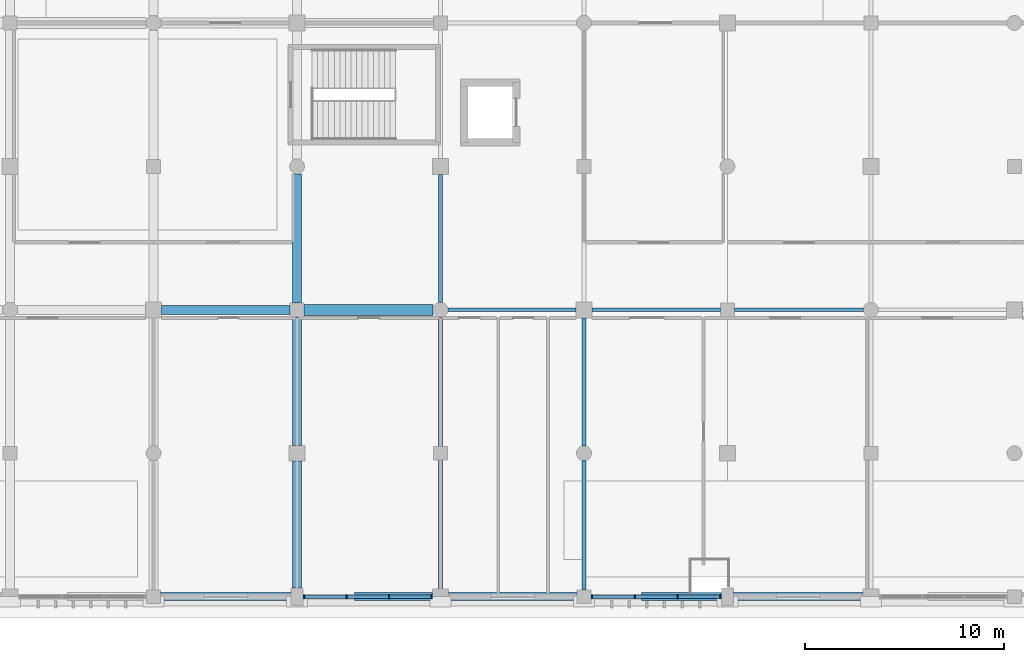
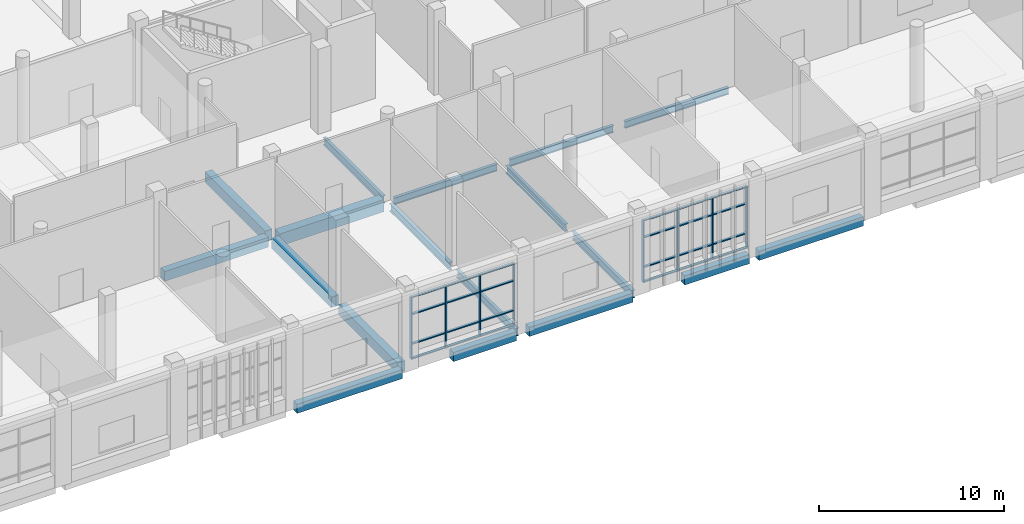
# One storey, part 16 of 80: 32 members, 18 beams, 2 elements without a shape of their own.
"""IFC4 building model written with IfcOpenShell, lengths in metres."""

from ifc_helpers import new_model, si_unit, direction, frame, origin, origin_2d, place, context, subcontext, project, spatial, rectangle, i_section, extrude, material, material_profile, profile_set, type_object, element, aggregate, save


model = new_model("IFC4")

# Units and contexts
model_context = context("Model", 3, precision=1e-05, world=origin(), true_north=direction((0.0, 1.0)))
body_context = subcontext(model_context, "Body", "Model", "MODEL_VIEW")
ifc_project = project(units=[si_unit("LENGTHUNIT", "METRE"), si_unit("AREAUNIT", "SQUARE_METRE"), si_unit("VOLUMEUNIT", "CUBIC_METRE"), si_unit("PLANEANGLEUNIT", "RADIAN"), si_unit("MASSUNIT", "GRAM", prefix="KILO")], contexts=[model_context])

# Site, building, storey
site_placement = place(None, origin())
site = spatial("IfcSite", under=ifc_project, at=site_placement, CompositionType="ELEMENT")
building_placement = place(site_placement, origin())
building = spatial("IfcBuilding", under=site, at=building_placement, Name="Sardonyx Promenade Sports Hall", CompositionType="ELEMENT")
storey_placement = place(building_placement, frame((0.0, 0.0, 5.60009765625)))
storey = spatial("IfcBuildingStorey", under=building, at=storey_placement, Name="L01", CompositionType="ELEMENT", Elevation=5.60009765625)

# Beams
ifc_material_1 = material(Name="Concrete C40/50", Category="concrete")
ifc_material_profile_1 = material_profile(ifc_material_1, rectangle(XDim=0.550048828125, YDim=0.800048828125, at=origin_2d()))
ifc_profile_set_1 = profile_set([ifc_material_profile_1], Name="Concrete C40/50")
beam_type_1 = type_object("IfcBeamType", Name="Bm_Girder_RC800", PredefinedType="BEAM", material=ifc_profile_set_1)
beam_1_placement = place(storey_placement, frame((101.14990234375, 14.39990234375, -0.400146484375), z_axis=(1.0, 0.0, 0.0), x_axis=(0.0, 1.0, 0.0)))
element("IfcBeam", 1, at=beam_1_placement, inside=storey, type_object=beam_type_1, Name="Beam BG04 L01 #199", PredefinedType="BEAM", context=body_context, shape_type="SweptSolid", body=[
    extrude(rectangle(XDim=0.550048828125, YDim=0.800048828125, at=origin_2d()), origin(), (0.0, 0.0, 1.0), 6.47509765625),
])
ifc_material_2 = material(Name="Steel S355JR", Category="steel")
ifc_material_profile_2 = material_profile(ifc_material_2, i_section(OverallWidth=0.18994140625, OverallDepth=0.453369140625, WebThickness=0.008544921875, FlangeThickness=0.0126953125, at=origin_2d()))
ifc_profile_set_2 = profile_set([ifc_material_profile_2], Name="Steel S355JR")
beam_type_2 = type_object("IfcBeamType", Name="Bm_Girder_UB457", PredefinedType="BEAM", material=ifc_profile_set_2)
beam_2_placement = place(storey_placement, frame((108.375, 14.39990234375, -0.5068359375), z_axis=(1.0, 0.0, 0.0), x_axis=(0.0, 1.0, 0.0)))
element("IfcBeam", 2, at=beam_2_placement, inside=storey, type_object=beam_type_2, Name="Beam SB01 L01 #200", PredefinedType="BEAM", context=body_context, shape_type="SweptSolid", body=[
    extrude(i_section(OverallWidth=0.18994140625, OverallDepth=0.453369140625, WebThickness=0.008544921875, FlangeThickness=0.0126953125, at=origin_2d()), origin(), (0.0, 0.0, 1.0), 6.425048828125),
])
beam_3_placement = place(storey_placement, frame((115.60009765625, 14.39990234375, -0.5068359375), z_axis=(1.0, 0.0, 0.0), x_axis=(0.0, 1.0, 0.0)))
element("IfcBeam", 3, at=beam_3_placement, inside=storey, type_object=beam_type_2, Name="Beam SB01 L01 #201", PredefinedType="BEAM", context=body_context, shape_type="SweptSolid", body=[
    extrude(i_section(OverallWidth=0.18994140625, OverallDepth=0.453369140625, WebThickness=0.008544921875, FlangeThickness=0.0126953125, at=origin_2d()), origin(), (0.0, 0.0, 1.0), 6.449951171875),
])
beam_4_placement = place(storey_placement, frame((122.75, 14.39990234375, -0.5068359375), z_axis=(1.0, 0.0, 0.0), x_axis=(0.0, 1.0, 0.0)))
element("IfcBeam", 4, at=beam_4_placement, inside=storey, type_object=beam_type_2, Name="Beam SB01 L01 #202", PredefinedType="BEAM", context=body_context, shape_type="SweptSolid", body=[
    extrude(i_section(OverallWidth=0.18994140625, OverallDepth=0.453369140625, WebThickness=0.008544921875, FlangeThickness=0.0126953125, at=origin_2d()), origin(), (0.0, 0.0, 1.0), 6.47509765625),
])
ifc_material_3 = material(Name="Steel S355JR", Category="steel")
ifc_material_profile_3 = material_profile(ifc_material_3, i_section(OverallWidth=0.199951171875, OverallDepth=0.5, WebThickness=0.01025390625, FlangeThickness=0.01611328125, at=origin_2d()))
ifc_profile_set_3 = profile_set([ifc_material_profile_3], Name="Steel S355JR")
beam_type_3 = type_object("IfcBeamType", Name="Bm_Primary_IPE500", PredefinedType="BEAM", material=ifc_profile_set_3)
beam_5_placement = place(storey_placement, frame((108.0, 0.39990234375, -0.530029296875), z_axis=(0.0, 1.0, 0.0), x_axis=(-1.0, 0.0, 0.0)))
element("IfcBeam", 5, at=beam_5_placement, inside=storey, type_object=beam_type_3, Name="Beam SB06 L01 #378", PredefinedType="BEAM", context=body_context, shape_type="SweptSolid", body=[
    extrude(i_section(OverallWidth=0.199951171875, OverallDepth=0.5, WebThickness=0.01025390625, FlangeThickness=0.01611328125, at=origin_2d()), origin(), (0.0, 0.0, 1.0), 6.4501953125),
])
beam_6_placement = place(storey_placement, frame((108.0, 7.550048828125, -0.530029296875), z_axis=(0.0, 1.0, 0.0), x_axis=(-1.0, 0.0, 0.0)))
element("IfcBeam", 6, at=beam_6_placement, inside=storey, type_object=beam_type_3, Name="Beam SB06 L01 #379", PredefinedType="BEAM", context=body_context, shape_type="SweptSolid", body=[
    extrude(i_section(OverallWidth=0.199951171875, OverallDepth=0.5, WebThickness=0.01025390625, FlangeThickness=0.01611328125, at=origin_2d()), origin(), (0.0, 0.0, 1.0), 6.474853515625),
])
beam_7_placement = place(storey_placement, frame((108.0, 14.77490234375, -0.530029296875), z_axis=(0.0, 1.0, 0.0), x_axis=(-1.0, 0.0, 0.0)))
element("IfcBeam", 7, at=beam_7_placement, inside=storey, type_object=beam_type_3, Name="Beam SB06 L01 #380", PredefinedType="BEAM", context=body_context, shape_type="SweptSolid", body=[
    extrude(i_section(OverallWidth=0.199951171875, OverallDepth=0.5, WebThickness=0.01025390625, FlangeThickness=0.01611328125, at=origin_2d()), origin(), (0.0, 0.0, 1.0), 6.425048828125),
])
beam_8_placement = place(storey_placement, frame((115.199951171875, 0.35009765625, -0.530029296875), z_axis=(0.0, 1.0, 0.0), x_axis=(-1.0, 0.0, 0.0)))
element("IfcBeam", 8, at=beam_8_placement, inside=storey, type_object=beam_type_3, Name="Beam SB06 L01 #392", PredefinedType="BEAM", context=body_context, shape_type="SweptSolid", body=[
    extrude(i_section(OverallWidth=0.199951171875, OverallDepth=0.5, WebThickness=0.01025390625, FlangeThickness=0.01611328125, at=origin_2d()), origin(), (0.0, 0.0, 1.0), 6.474853515625),
])
beam_9_placement = place(storey_placement, frame((115.199951171875, 7.574951171875, -0.530029296875), z_axis=(0.0, 1.0, 0.0), x_axis=(-1.0, 0.0, 0.0)))
element("IfcBeam", 9, at=beam_9_placement, inside=storey, type_object=beam_type_3, Name="Beam SB06 L01 #393", PredefinedType="BEAM", context=body_context, shape_type="SweptSolid", body=[
    extrude(i_section(OverallWidth=0.199951171875, OverallDepth=0.5, WebThickness=0.01025390625, FlangeThickness=0.01611328125, at=origin_2d()), origin(), (0.0, 0.0, 1.0), 6.425048828125),
])
ifc_material_4 = material(Name="Concrete C40/50", Category="concrete")
ifc_material_profile_4 = material_profile(ifc_material_4, rectangle(XDim=0.449951171875, YDim=0.64990234375, at=origin_2d()))
ifc_profile_set_4 = profile_set([ifc_material_profile_4], Name="Concrete C40/50")
beam_type_4 = type_object("IfcBeamType", Name="Bm_Primary_RC650", PredefinedType="BEAM", material=ifc_profile_set_4)
beam_10_placement = place(storey_placement, frame((94.0, 14.39990234375, -0.3251953125), z_axis=(1.0, 0.0, 0.0), x_axis=(0.0, 1.0, 0.0)))
element("IfcBeam", 10, at=beam_10_placement, inside=storey, type_object=beam_type_4, Name="Beam BG05 L01 #198", PredefinedType="BEAM", context=body_context, shape_type="SweptSolid", body=[
    extrude(rectangle(XDim=0.449951171875, YDim=0.64990234375, at=origin_2d()), origin(), (0.0, 0.0, 1.0), 6.449951171875),
])
ifc_material_5 = material(Name="Concrete C40/50", Category="concrete")
ifc_material_profile_5 = material_profile(ifc_material_5, rectangle(XDim=0.449951171875, YDim=0.699951171875, at=origin_2d()))
ifc_profile_set_5 = profile_set([ifc_material_profile_5], Name="Concrete C40/50")
beam_type_5 = type_object("IfcBeamType", Name="Bm_Primary_RC700", PredefinedType="BEAM", material=ifc_profile_set_5)
beam_11_placement = place(storey_placement, frame((100.800048828125, 0.449951171875, -0.35009765625), z_axis=(0.0, 1.0, 0.0), x_axis=(-1.0, 0.0, 0.0)))
element("IfcBeam", 11, at=beam_11_placement, inside=storey, type_object=beam_type_5, Name="Beam BG01 L01 #368", PredefinedType="BEAM", context=body_context, shape_type="SweptSolid", body=[
    extrude(rectangle(XDim=0.449951171875, YDim=0.699951171875, at=origin_2d()), origin(), (0.0, 0.0, 1.0), 6.35009765625),
])
beam_12_placement = place(storey_placement, frame((100.800048828125, 7.60009765625, -0.35009765625), z_axis=(0.0, 1.0, 0.0), x_axis=(-1.0, 0.0, 0.0)))
element("IfcBeam", 12, at=beam_12_placement, inside=storey, type_object=beam_type_5, Name="Beam BG01 L01 #369", PredefinedType="BEAM", context=body_context, shape_type="SweptSolid", body=[
    extrude(rectangle(XDim=0.449951171875, YDim=0.699951171875, at=origin_2d()), origin(), (0.0, 0.0, 1.0), 6.449951171875),
])
beam_13_placement = place(storey_placement, frame((100.800048828125, 14.75, -0.35009765625), z_axis=(0.0, 1.0, 0.0), x_axis=(-1.0, 0.0, 0.0)))
element("IfcBeam", 13, at=beam_13_placement, inside=storey, type_object=beam_type_5, Name="Beam BG01 L01 #370", PredefinedType="BEAM", context=body_context, shape_type="SweptSolid", body=[
    extrude(rectangle(XDim=0.449951171875, YDim=0.699951171875, at=origin_2d()), origin(), (0.0, 0.0, 1.0), 6.47509765625),
])
ifc_material_6 = material(Name="Concrete C40/50", Category="concrete")
ifc_material_profile_6 = material_profile(ifc_material_6, rectangle(XDim=0.39990234375, YDim=0.60009765625, at=origin_2d()))
ifc_profile_set_6 = profile_set([ifc_material_profile_6], Name="Concrete C40/50")
beam_type_6 = type_object("IfcBeamType", Name="Bm_Spandrel_RC600", PredefinedType="SPANDREL", material=ifc_profile_set_6)
beam_14_placement = place(storey_placement, frame((93.949951171875, 0.0, -0.300048828125), z_axis=(1.0, 0.0, 0.0), x_axis=(0.0, 1.0, 0.0)))
element("IfcBeam", 14, at=beam_14_placement, inside=storey, type_object=beam_type_6, Name="Beam SPB1 L01 #175", PredefinedType="SPANDREL", context=body_context, shape_type="SweptSolid", body=[
    extrude(rectangle(XDim=0.39990234375, YDim=0.60009765625, at=origin_2d()), origin(), (0.0, 0.0, 1.0), 6.550048828125),
])
beam_15_placement = place(storey_placement, frame((103.675048828125, 0.0, -0.300048828125), z_axis=(1.0, 0.0, 0.0), x_axis=(0.0, 1.0, 0.0)))
element("IfcBeam", 15, at=beam_15_placement, inside=storey, type_object=beam_type_6, Name="Beam SPB1 L01 #176", PredefinedType="SPANDREL", context=body_context, shape_type="SweptSolid", body=[
    extrude(rectangle(XDim=0.39990234375, YDim=0.60009765625, at=origin_2d()), origin(), (0.0, 0.0, 1.0), 3.925048828125),
])
beam_16_placement = place(storey_placement, frame((108.39990234375, 0.0, -0.300048828125), z_axis=(1.0, 0.0, 0.0), x_axis=(0.0, 1.0, 0.0)))
element("IfcBeam", 16, at=beam_16_placement, inside=storey, type_object=beam_type_6, Name="Beam SPB1 L01 #177", PredefinedType="SPANDREL", context=body_context, shape_type="SweptSolid", body=[
    extrude(rectangle(XDim=0.39990234375, YDim=0.60009765625, at=origin_2d()), origin(), (0.0, 0.0, 1.0), 6.4501953125),
])
beam_17_placement = place(storey_placement, frame((118.074951171875, 0.0, -0.300048828125), z_axis=(1.0, 0.0, 0.0), x_axis=(0.0, 1.0, 0.0)))
element("IfcBeam", 17, at=beam_17_placement, inside=storey, type_object=beam_type_6, Name="Beam SPB1 L01 #178", PredefinedType="SPANDREL", context=body_context, shape_type="SweptSolid", body=[
    extrude(rectangle(XDim=0.39990234375, YDim=0.60009765625, at=origin_2d()), origin(), (0.0, 0.0, 1.0), 4.025146484375),
])
beam_18_placement = place(storey_placement, frame((122.699951171875, 0.0, -0.300048828125), z_axis=(1.0, 0.0, 0.0), x_axis=(0.0, 1.0, 0.0)))
element("IfcBeam", 18, at=beam_18_placement, inside=storey, type_object=beam_type_6, Name="Beam SPB1 L01 #179", PredefinedType="SPANDREL", context=body_context, shape_type="SweptSolid", body=[
    extrude(rectangle(XDim=0.39990234375, YDim=0.60009765625, at=origin_2d()), origin(), (0.0, 0.0, 1.0), 6.5),
])

# Curtain wall, members
ifc_material_7 = material(Name="Aluminium 6063-T6", Category="aluminium")
curtain_wall_type = type_object("IfcCurtainWallType", Name="CW_South_L01_640", PredefinedType="USERDEFINED", material=ifc_material_7)
curtain_wall_1_placement = place(storey_placement, origin())
curtain_wall_1 = element("IfcCurtainWall", 19, at=curtain_wall_1_placement, inside=storey, type_object=curtain_wall_type, Name="Curtain wall CW08 cw:L01:020", ObjectType="CURTAIN WALL", PredefinedType="USERDEFINED")
ifc_material_8 = material(Name="Aluminium 6063-T6", Category="aluminium")
ifc_material_profile_7 = material_profile(ifc_material_8, rectangle(XDim=0.070068359375, YDim=0.199951171875, at=origin_2d()))
ifc_profile_set_7 = profile_set([ifc_material_profile_7], Name="Aluminium 6063-T6")
member_type_1 = type_object("IfcMemberType", Name="CW_Mull_200", PredefinedType="MULLION", material=ifc_profile_set_7)
member_1_placement = place(storey_placement, frame((122.044921875, 0.0, 0.349853515625), z_axis=(0.0, 0.0, 1.0), x_axis=(-1.0, 0.0, 0.0)))
member_1 = element("IfcMember", 20, at=member_1_placement, type_object=member_type_1, Name="Mullion CM03 cw:L01:020 #1", PredefinedType="MULLION", context=body_context, shape_type="SweptSolid", body=[
    extrude(rectangle(XDim=0.070068359375, YDim=0.199951171875, at=origin_2d()), origin(), (0.0, 0.0, 1.0), 4.10009765625),
])
member_2_placement = place(storey_placement, frame((119.8984375, 0.0, 0.349853515625), z_axis=(0.0, 0.0, 1.0), x_axis=(-1.0, 0.0, 0.0)))
member_2 = element("IfcMember", 21, at=member_2_placement, type_object=member_type_1, Name="Mullion CM03 cw:L01:020 #2", PredefinedType="MULLION", context=body_context, shape_type="SweptSolid", body=[
    extrude(rectangle(XDim=0.070068359375, YDim=0.199951171875, at=origin_2d()), origin(), (0.0, 0.0, 1.0), 4.10009765625),
])
member_3_placement = place(storey_placement, frame((117.751708984375, 0.0, 0.349853515625), z_axis=(0.0, 0.0, 1.0), x_axis=(-1.0, 0.0, 0.0)))
member_3 = element("IfcMember", 22, at=member_3_placement, type_object=member_type_1, Name="Mullion CM03 cw:L01:020 #3", PredefinedType="MULLION", context=body_context, shape_type="SweptSolid", body=[
    extrude(rectangle(XDim=0.070068359375, YDim=0.199951171875, at=origin_2d()), origin(), (0.0, 0.0, 1.0), 4.10009765625),
])
member_4_placement = place(storey_placement, frame((115.60498046875, 0.0, 0.349853515625), z_axis=(0.0, 0.0, 1.0), x_axis=(-1.0, 0.0, 0.0)))
member_4 = element("IfcMember", 23, at=member_4_placement, type_object=member_type_1, Name="Mullion CM03 cw:L01:020 #4", PredefinedType="MULLION", context=body_context, shape_type="SweptSolid", body=[
    extrude(rectangle(XDim=0.070068359375, YDim=0.199951171875, at=origin_2d()), origin(), (0.0, 0.0, 1.0), 4.10009765625),
])

curtain_wall_2_placement = place(storey_placement, origin())
curtain_wall_2 = element("IfcCurtainWall", 24, at=curtain_wall_2_placement, inside=storey, type_object=curtain_wall_type, Name="Curtain wall CW08 cw:L01:021", ObjectType="CURTAIN WALL", PredefinedType="USERDEFINED")
member_5_placement = place(storey_placement, frame((107.544921875, 0.0, 0.349853515625), z_axis=(0.0, 0.0, 1.0), x_axis=(-1.0, 0.0, 0.0)))
member_5 = element("IfcMember", 25, at=member_5_placement, type_object=member_type_1, Name="Mullion CM03 cw:L01:021 #1", PredefinedType="MULLION", context=body_context, shape_type="SweptSolid", body=[
    extrude(rectangle(XDim=0.070068359375, YDim=0.199951171875, at=origin_2d()), origin(), (0.0, 0.0, 1.0), 4.10009765625),
])
member_6_placement = place(storey_placement, frame((105.4150390625, 0.0, 0.349853515625), z_axis=(0.0, 0.0, 1.0), x_axis=(-1.0, 0.0, 0.0)))
member_6 = element("IfcMember", 26, at=member_6_placement, type_object=member_type_1, Name="Mullion CM03 cw:L01:021 #2", PredefinedType="MULLION", context=body_context, shape_type="SweptSolid", body=[
    extrude(rectangle(XDim=0.070068359375, YDim=0.199951171875, at=origin_2d()), origin(), (0.0, 0.0, 1.0), 4.10009765625),
])
member_7_placement = place(storey_placement, frame((103.284912109375, 0.0, 0.349853515625), z_axis=(0.0, 0.0, 1.0), x_axis=(-1.0, 0.0, 0.0)))
member_7 = element("IfcMember", 27, at=member_7_placement, type_object=member_type_1, Name="Mullion CM03 cw:L01:021 #3", PredefinedType="MULLION", context=body_context, shape_type="SweptSolid", body=[
    extrude(rectangle(XDim=0.070068359375, YDim=0.199951171875, at=origin_2d()), origin(), (0.0, 0.0, 1.0), 4.10009765625),
])
member_8_placement = place(storey_placement, frame((101.155029296875, 0.0, 0.349853515625), z_axis=(0.0, 0.0, 1.0), x_axis=(-1.0, 0.0, 0.0)))
member_8 = element("IfcMember", 28, at=member_8_placement, type_object=member_type_1, Name="Mullion CM03 cw:L01:021 #4", PredefinedType="MULLION", context=body_context, shape_type="SweptSolid", body=[
    extrude(rectangle(XDim=0.070068359375, YDim=0.199951171875, at=origin_2d()), origin(), (0.0, 0.0, 1.0), 4.10009765625),
])

# Member
ifc_material_9 = material(Name="Aluminium 6063-T6", Category="aluminium")
ifc_material_profile_8 = material_profile(ifc_material_9, rectangle(XDim=0.070068359375, YDim=0.159912109375, at=origin_2d()))
ifc_profile_set_8 = profile_set([ifc_material_profile_8], Name="Aluminium 6063-T6")
member_type_2 = type_object("IfcMemberType", Name="CW_Tran_160", PredefinedType="USERDEFINED", material=ifc_profile_set_8)
member_9_placement = place(storey_placement, frame((122.010009765625, 0.0, 0.385009765625), z_axis=(-1.0, 0.0, 0.0), x_axis=(0.0, 0.0, 1.0)))
member_9 = element("IfcMember", 29, at=member_9_placement, type_object=member_type_2, Name="Transom CT03 cw:L01:020 #1", ObjectType="TRANSOM", PredefinedType="USERDEFINED", context=body_context, shape_type="SweptSolid", body=[
    extrude(rectangle(XDim=0.070068359375, YDim=0.159912109375, at=origin_2d()), origin(), (0.0, 0.0, 1.0), 2.07666015625),
])

member_10_placement = place(storey_placement, frame((122.010009765625, 0.0, 1.349853515625), z_axis=(-1.0, 0.0, 0.0), x_axis=(0.0, 0.0, 1.0)))
member_10 = element("IfcMember", 30, at=member_10_placement, type_object=member_type_2, Name="Transom CT03 cw:L01:020 #2", ObjectType="TRANSOM", PredefinedType="USERDEFINED", context=body_context, shape_type="SweptSolid", body=[
    extrude(rectangle(XDim=0.070068359375, YDim=0.159912109375, at=origin_2d()), origin(), (0.0, 0.0, 1.0), 2.07666015625),
])

member_11_placement = place(storey_placement, frame((122.010009765625, 0.0, 3.2998046875), z_axis=(-1.0, 0.0, 0.0), x_axis=(0.0, 0.0, 1.0)))
member_11 = element("IfcMember", 31, at=member_11_placement, type_object=member_type_2, Name="Transom CT03 cw:L01:020 #3", ObjectType="TRANSOM", PredefinedType="USERDEFINED", context=body_context, shape_type="SweptSolid", body=[
    extrude(rectangle(XDim=0.070068359375, YDim=0.159912109375, at=origin_2d()), origin(), (0.0, 0.0, 1.0), 2.07666015625),
])

member_12_placement = place(storey_placement, frame((122.010009765625, 0.0, 4.414794921875), z_axis=(-1.0, 0.0, 0.0), x_axis=(0.0, 0.0, 1.0)))
member_12 = element("IfcMember", 32, at=member_12_placement, type_object=member_type_2, Name="Transom CT03 cw:L01:020 #4", ObjectType="TRANSOM", PredefinedType="USERDEFINED", context=body_context, shape_type="SweptSolid", body=[
    extrude(rectangle(XDim=0.070068359375, YDim=0.159912109375, at=origin_2d()), origin(), (0.0, 0.0, 1.0), 2.07666015625),
])

member_13_placement = place(storey_placement, frame((119.86328125, 0.0, 0.385009765625), z_axis=(-1.0, 0.0, 0.0), x_axis=(0.0, 0.0, 1.0)))
member_13 = element("IfcMember", 33, at=member_13_placement, type_object=member_type_2, Name="Transom CT03 cw:L01:020 #5", ObjectType="TRANSOM", PredefinedType="USERDEFINED", context=body_context, shape_type="SweptSolid", body=[
    extrude(rectangle(XDim=0.070068359375, YDim=0.159912109375, at=origin_2d()), origin(), (0.0, 0.0, 1.0), 2.07666015625),
])

member_14_placement = place(storey_placement, frame((119.86328125, 0.0, 1.349853515625), z_axis=(-1.0, 0.0, 0.0), x_axis=(0.0, 0.0, 1.0)))
member_14 = element("IfcMember", 34, at=member_14_placement, type_object=member_type_2, Name="Transom CT03 cw:L01:020 #6", ObjectType="TRANSOM", PredefinedType="USERDEFINED", context=body_context, shape_type="SweptSolid", body=[
    extrude(rectangle(XDim=0.070068359375, YDim=0.159912109375, at=origin_2d()), origin(), (0.0, 0.0, 1.0), 2.07666015625),
])

member_15_placement = place(storey_placement, frame((119.86328125, 0.0, 3.2998046875), z_axis=(-1.0, 0.0, 0.0), x_axis=(0.0, 0.0, 1.0)))
member_15 = element("IfcMember", 35, at=member_15_placement, type_object=member_type_2, Name="Transom CT03 cw:L01:020 #7", ObjectType="TRANSOM", PredefinedType="USERDEFINED", context=body_context, shape_type="SweptSolid", body=[
    extrude(rectangle(XDim=0.070068359375, YDim=0.159912109375, at=origin_2d()), origin(), (0.0, 0.0, 1.0), 2.07666015625),
])

member_16_placement = place(storey_placement, frame((119.86328125, 0.0, 4.414794921875), z_axis=(-1.0, 0.0, 0.0), x_axis=(0.0, 0.0, 1.0)))
member_16 = element("IfcMember", 36, at=member_16_placement, type_object=member_type_2, Name="Transom CT03 cw:L01:020 #8", ObjectType="TRANSOM", PredefinedType="USERDEFINED", context=body_context, shape_type="SweptSolid", body=[
    extrude(rectangle(XDim=0.070068359375, YDim=0.159912109375, at=origin_2d()), origin(), (0.0, 0.0, 1.0), 2.07666015625),
])

member_17_placement = place(storey_placement, frame((117.716552734375, 0.0, 0.385009765625), z_axis=(-1.0, 0.0, 0.0), x_axis=(0.0, 0.0, 1.0)))
member_17 = element("IfcMember", 37, at=member_17_placement, type_object=member_type_2, Name="Transom CT03 cw:L01:020 #9", ObjectType="TRANSOM", PredefinedType="USERDEFINED", context=body_context, shape_type="SweptSolid", body=[
    extrude(rectangle(XDim=0.070068359375, YDim=0.159912109375, at=origin_2d()), origin(), (0.0, 0.0, 1.0), 2.07666015625),
])

member_18_placement = place(storey_placement, frame((117.716552734375, 0.0, 1.349853515625), z_axis=(-1.0, 0.0, 0.0), x_axis=(0.0, 0.0, 1.0)))
member_18 = element("IfcMember", 38, at=member_18_placement, type_object=member_type_2, Name="Transom CT03 cw:L01:020 #10", ObjectType="TRANSOM", PredefinedType="USERDEFINED", context=body_context, shape_type="SweptSolid", body=[
    extrude(rectangle(XDim=0.070068359375, YDim=0.159912109375, at=origin_2d()), origin(), (0.0, 0.0, 1.0), 2.07666015625),
])

member_19_placement = place(storey_placement, frame((117.716552734375, 0.0, 3.2998046875), z_axis=(-1.0, 0.0, 0.0), x_axis=(0.0, 0.0, 1.0)))
member_19 = element("IfcMember", 39, at=member_19_placement, type_object=member_type_2, Name="Transom CT03 cw:L01:020 #11", ObjectType="TRANSOM", PredefinedType="USERDEFINED", context=body_context, shape_type="SweptSolid", body=[
    extrude(rectangle(XDim=0.070068359375, YDim=0.159912109375, at=origin_2d()), origin(), (0.0, 0.0, 1.0), 2.07666015625),
])

member_20_placement = place(storey_placement, frame((117.716552734375, 0.0, 4.414794921875), z_axis=(-1.0, 0.0, 0.0), x_axis=(0.0, 0.0, 1.0)))
member_20 = element("IfcMember", 40, at=member_20_placement, type_object=member_type_2, Name="Transom CT03 cw:L01:020 #12", ObjectType="TRANSOM", PredefinedType="USERDEFINED", context=body_context, shape_type="SweptSolid", body=[
    extrude(rectangle(XDim=0.070068359375, YDim=0.159912109375, at=origin_2d()), origin(), (0.0, 0.0, 1.0), 2.07666015625),
])

aggregate(curtain_wall_1, [member_1, member_2, member_3, member_4, member_9, member_10, member_11, member_12, member_13, member_14, member_15, member_16, member_17, member_18, member_19, member_20])

member_21_placement = place(storey_placement, frame((107.510009765625, 0.0, 0.385009765625), z_axis=(-1.0, 0.0, 0.0), x_axis=(0.0, 0.0, 1.0)))
member_21 = element("IfcMember", 41, at=member_21_placement, type_object=member_type_2, Name="Transom CT03 cw:L01:021 #1", ObjectType="TRANSOM", PredefinedType="USERDEFINED", context=body_context, shape_type="SweptSolid", body=[
    extrude(rectangle(XDim=0.070068359375, YDim=0.159912109375, at=origin_2d()), origin(), (0.0, 0.0, 1.0), 2.06005859375),
])

member_22_placement = place(storey_placement, frame((107.510009765625, 0.0, 1.349853515625), z_axis=(-1.0, 0.0, 0.0), x_axis=(0.0, 0.0, 1.0)))
member_22 = element("IfcMember", 42, at=member_22_placement, type_object=member_type_2, Name="Transom CT03 cw:L01:021 #2", ObjectType="TRANSOM", PredefinedType="USERDEFINED", context=body_context, shape_type="SweptSolid", body=[
    extrude(rectangle(XDim=0.070068359375, YDim=0.159912109375, at=origin_2d()), origin(), (0.0, 0.0, 1.0), 2.06005859375),
])

member_23_placement = place(storey_placement, frame((107.510009765625, 0.0, 3.2998046875), z_axis=(-1.0, 0.0, 0.0), x_axis=(0.0, 0.0, 1.0)))
member_23 = element("IfcMember", 43, at=member_23_placement, type_object=member_type_2, Name="Transom CT03 cw:L01:021 #3", ObjectType="TRANSOM", PredefinedType="USERDEFINED", context=body_context, shape_type="SweptSolid", body=[
    extrude(rectangle(XDim=0.070068359375, YDim=0.159912109375, at=origin_2d()), origin(), (0.0, 0.0, 1.0), 2.06005859375),
])

member_24_placement = place(storey_placement, frame((107.510009765625, 0.0, 4.414794921875), z_axis=(-1.0, 0.0, 0.0), x_axis=(0.0, 0.0, 1.0)))
member_24 = element("IfcMember", 44, at=member_24_placement, type_object=member_type_2, Name="Transom CT03 cw:L01:021 #4", ObjectType="TRANSOM", PredefinedType="USERDEFINED", context=body_context, shape_type="SweptSolid", body=[
    extrude(rectangle(XDim=0.070068359375, YDim=0.159912109375, at=origin_2d()), origin(), (0.0, 0.0, 1.0), 2.06005859375),
])

member_25_placement = place(storey_placement, frame((105.3798828125, 0.0, 0.385009765625), z_axis=(-1.0, 0.0, 0.0), x_axis=(0.0, 0.0, 1.0)))
member_25 = element("IfcMember", 45, at=member_25_placement, type_object=member_type_2, Name="Transom CT03 cw:L01:021 #5", ObjectType="TRANSOM", PredefinedType="USERDEFINED", context=body_context, shape_type="SweptSolid", body=[
    extrude(rectangle(XDim=0.070068359375, YDim=0.159912109375, at=origin_2d()), origin(), (0.0, 0.0, 1.0), 2.059814453125),
])

member_26_placement = place(storey_placement, frame((105.3798828125, 0.0, 1.349853515625), z_axis=(-1.0, 0.0, 0.0), x_axis=(0.0, 0.0, 1.0)))
member_26 = element("IfcMember", 46, at=member_26_placement, type_object=member_type_2, Name="Transom CT03 cw:L01:021 #6", ObjectType="TRANSOM", PredefinedType="USERDEFINED", context=body_context, shape_type="SweptSolid", body=[
    extrude(rectangle(XDim=0.070068359375, YDim=0.159912109375, at=origin_2d()), origin(), (0.0, 0.0, 1.0), 2.059814453125),
])

member_27_placement = place(storey_placement, frame((105.3798828125, 0.0, 3.2998046875), z_axis=(-1.0, 0.0, 0.0), x_axis=(0.0, 0.0, 1.0)))
member_27 = element("IfcMember", 47, at=member_27_placement, type_object=member_type_2, Name="Transom CT03 cw:L01:021 #7", ObjectType="TRANSOM", PredefinedType="USERDEFINED", context=body_context, shape_type="SweptSolid", body=[
    extrude(rectangle(XDim=0.070068359375, YDim=0.159912109375, at=origin_2d()), origin(), (0.0, 0.0, 1.0), 2.059814453125),
])

member_28_placement = place(storey_placement, frame((105.3798828125, 0.0, 4.414794921875), z_axis=(-1.0, 0.0, 0.0), x_axis=(0.0, 0.0, 1.0)))
member_28 = element("IfcMember", 48, at=member_28_placement, type_object=member_type_2, Name="Transom CT03 cw:L01:021 #8", ObjectType="TRANSOM", PredefinedType="USERDEFINED", context=body_context, shape_type="SweptSolid", body=[
    extrude(rectangle(XDim=0.070068359375, YDim=0.159912109375, at=origin_2d()), origin(), (0.0, 0.0, 1.0), 2.059814453125),
])

member_29_placement = place(storey_placement, frame((103.25, 0.0, 0.385009765625), z_axis=(-1.0, 0.0, 0.0), x_axis=(0.0, 0.0, 1.0)))
member_29 = element("IfcMember", 49, at=member_29_placement, type_object=member_type_2, Name="Transom CT03 cw:L01:021 #9", ObjectType="TRANSOM", PredefinedType="USERDEFINED", context=body_context, shape_type="SweptSolid", body=[
    extrude(rectangle(XDim=0.070068359375, YDim=0.159912109375, at=origin_2d()), origin(), (0.0, 0.0, 1.0), 2.06005859375),
])

member_30_placement = place(storey_placement, frame((103.25, 0.0, 1.349853515625), z_axis=(-1.0, 0.0, 0.0), x_axis=(0.0, 0.0, 1.0)))
member_30 = element("IfcMember", 50, at=member_30_placement, type_object=member_type_2, Name="Transom CT03 cw:L01:021 #10", ObjectType="TRANSOM", PredefinedType="USERDEFINED", context=body_context, shape_type="SweptSolid", body=[
    extrude(rectangle(XDim=0.070068359375, YDim=0.159912109375, at=origin_2d()), origin(), (0.0, 0.0, 1.0), 2.06005859375),
])

member_31_placement = place(storey_placement, frame((103.25, 0.0, 3.2998046875), z_axis=(-1.0, 0.0, 0.0), x_axis=(0.0, 0.0, 1.0)))
member_31 = element("IfcMember", 51, at=member_31_placement, type_object=member_type_2, Name="Transom CT03 cw:L01:021 #11", ObjectType="TRANSOM", PredefinedType="USERDEFINED", context=body_context, shape_type="SweptSolid", body=[
    extrude(rectangle(XDim=0.070068359375, YDim=0.159912109375, at=origin_2d()), origin(), (0.0, 0.0, 1.0), 2.06005859375),
])

member_32_placement = place(storey_placement, frame((103.25, 0.0, 4.414794921875), z_axis=(-1.0, 0.0, 0.0), x_axis=(0.0, 0.0, 1.0)))
member_32 = element("IfcMember", 52, at=member_32_placement, type_object=member_type_2, Name="Transom CT03 cw:L01:021 #12", ObjectType="TRANSOM", PredefinedType="USERDEFINED", context=body_context, shape_type="SweptSolid", body=[
    extrude(rectangle(XDim=0.070068359375, YDim=0.159912109375, at=origin_2d()), origin(), (0.0, 0.0, 1.0), 2.06005859375),
])

aggregate(curtain_wall_2, [member_5, member_6, member_7, member_8, member_21, member_22, member_23, member_24, member_25, member_26, member_27, member_28, member_29, member_30, member_31, member_32])

save(model, "model.ifc")
